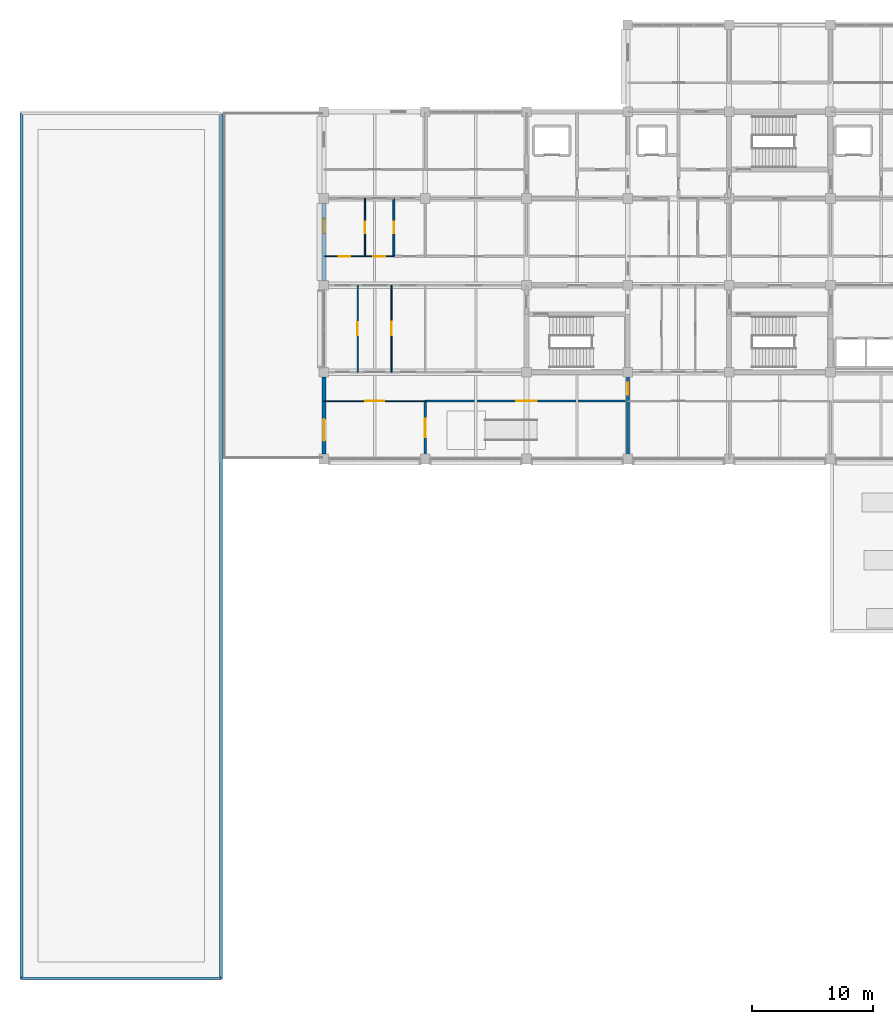
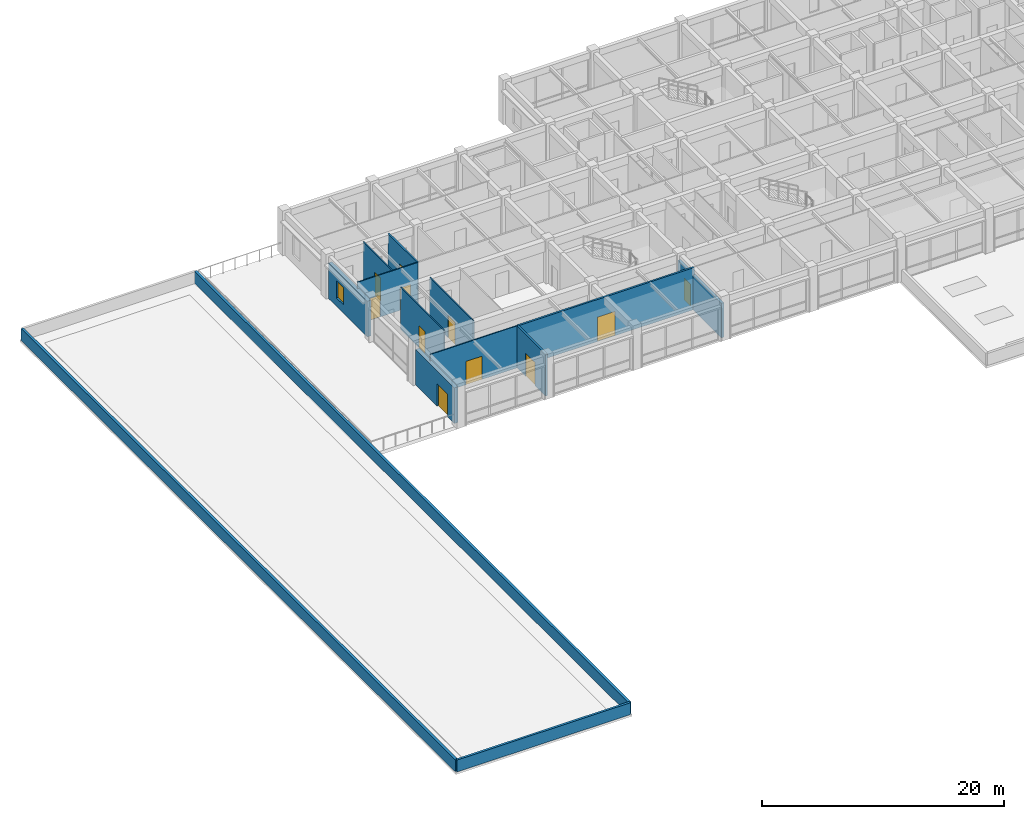
# One storey, part 19 of 40: 14 walls, 11 doors, 1 window, 12 openings.
"""IFC4 building model written with IfcOpenShell, lengths in metres."""

from ifc_helpers import new_model, si_unit, direction, frame, frame_2d, origin, place, context, subcontext, project, spatial, rectangle, extrude, material, layer, layer_set, type_object, element, fill, save


model = new_model("IFC4")

# Units and contexts
model_context = context("Model", 3, precision=1e-05, world=origin(), true_north=direction((0.0, 1.0)))
body_context = subcontext(model_context, "Body", "Model", "MODEL_VIEW")
ifc_project = project(units=[si_unit("LENGTHUNIT", "METRE"), si_unit("AREAUNIT", "SQUARE_METRE"), si_unit("VOLUMEUNIT", "CUBIC_METRE"), si_unit("PLANEANGLEUNIT", "RADIAN"), si_unit("MASSUNIT", "GRAM", prefix="KILO")], contexts=[model_context])

# Site, building, storey
site_placement = place(None, origin())
site = spatial("IfcSite", under=ifc_project, at=site_placement, CompositionType="ELEMENT")
building_placement = place(site_placement, origin())
building = spatial("IfcBuilding", under=site, at=building_placement, Name="Chengyuan Square Courthouse", CompositionType="ELEMENT")
storey_placement = place(building_placement, frame((0.0, 0.0, 21.60009765625)))
storey = spatial("IfcBuildingStorey", under=building, at=storey_placement, Name="L05", CompositionType="ELEMENT", Elevation=21.60009765625)

# Wall, opening, door
ifc_material_1 = material(Name="Concrete C40", Category="concrete")
ifc_layer_1 = layer(ifc_material_1, 0.35009765625)
ifc_layer_set_1 = layer_set([ifc_layer_1], Name="Concrete C40")
wall_type_1 = type_object("IfcWallType", Name="WL-EW2", PredefinedType="STANDARD", material=ifc_layer_set_1)
wall_1_placement = place(storey_placement, frame((25.199951171875, 79.594970703125, 0.0), z_axis=(0.0, 0.0, 1.0), x_axis=(0.0, 1.0, 0.0)))
wall_1 = element("IfcWall", 1, at=wall_1_placement, inside=storey, type_object=wall_type_1, Name="Exterior Wall WL-L05-E339", PredefinedType="STANDARD", context=body_context, shape_type="SweptSolid", body=[
    extrude(rectangle(XDim=6.409912109375, YDim=0.35009765625, at=frame_2d((3.205078125, 0.0))), origin(), (0.0, 0.0, 1.0), 3.58984375),
])
opening_1_placement = place(wall_1_placement, frame((1.10498046875, 0.0, 0.0)))
opening_1 = element("IfcOpeningElement", 2, at=opening_1_placement, cuts=wall_1, Name="Opening DR-004", PredefinedType="OPENING", context=body_context, shape_type="SweptSolid", body=[
    extrude(rectangle(XDim=1.800048828125, YDim=2.25, at=frame_2d((0.89990234375, 1.125))), frame((0.0, 0.18701171875, 0.0), z_axis=(0.0, -1.0, 0.0), x_axis=(1.0, 0.0, 0.0)), (0.0, 0.0, 1.0), 0.3740234375),
])
ifc_material_2 = material(Name="Thermally Broken Aluminium Terrace Door", Category="aluminium")
door_type_1 = type_object("IfcDoorType", Name="DT-02", OperationType="DOUBLE_DOOR_SINGLE_SWING", PredefinedType="DOOR", material=ifc_material_2)
door_1_placement = place(opening_1_placement, origin())
door_1 = element("IfcDoor", 3, at=door_1_placement, inside=storey, type_object=door_type_1, Name="Planted Terrace Access Door DR-004", OperationType="DOUBLE_DOOR_SINGLE_SWING", OverallHeight=2.25, OverallWidth=1.800048828125, PredefinedType="DOOR", context=body_context, shape_type="SweptSolid", body=[
    extrude(rectangle(XDim=1.800048828125, YDim=2.25, at=frame_2d((0.89990234375, 1.125))), frame((0.0, 0.02490234375, 0.0), z_axis=(0.0, -1.0, 0.0), x_axis=(1.0, 0.0, 0.0)), (0.0, 0.0, 1.0), 0.050048828125),
])
fill(opening_1, door_1)

# Wall, opening, window
wall_2_placement = place(storey_placement, frame((25.199951171875, 93.9951171875, 0.0), z_axis=(0.0, 0.0, 1.0), x_axis=(0.0, 1.0, 0.0)))
wall_2 = element("IfcWall", 4, at=wall_2_placement, inside=storey, type_object=wall_type_1, Name="Exterior Wall WL-L05-E340", PredefinedType="STANDARD", context=body_context, shape_type="SweptSolid", body=[
    extrude(rectangle(XDim=6.409912109375, YDim=0.35009765625, at=frame_2d((3.205078125, 0.0))), origin(), (0.0, 0.0, 1.0), 3.58984375),
])
opening_2_placement = place(wall_2_placement, frame((3.905029296875, 0.0, 0.85009765625)))
opening_2 = element("IfcOpeningElement", 5, at=opening_2_placement, cuts=wall_2, Name="Opening WN-111", PredefinedType="OPENING", context=body_context, shape_type="SweptSolid", body=[
    extrude(rectangle(XDim=1.199951171875, YDim=1.739990234375, at=frame_2d((0.60009765625, 0.8701171875))), frame((0.0, 0.18701171875, 0.0), z_axis=(0.0, -1.0, 0.0), x_axis=(1.0, 0.0, 0.0)), (0.0, 0.0, 1.0), 0.3740234375),
])
ifc_material_3 = material(Name="Thermally Broken Aluminium Triple Low-E Window", Category="aluminium")
window_type = type_object("IfcWindowType", Name="WT-16", PartitioningType="SINGLE_PANEL", PredefinedType="WINDOW", material=ifc_material_3)
window_placement = place(opening_2_placement, origin())
window = element("IfcWindow", 6, at=window_placement, inside=storey, type_object=window_type, Name="Facade Window WN-111", OverallHeight=1.739990234375, OverallWidth=1.199951171875, PartitioningType="SINGLE_PANEL", PredefinedType="WINDOW", context=body_context, shape_type="SweptSolid", body=[
    extrude(rectangle(XDim=1.199951171875, YDim=1.739990234375, at=frame_2d((0.60009765625, 0.8701171875))), frame((0.0, 0.030029296875, 0.0), z_axis=(0.0, -1.0, 0.0), x_axis=(1.0, 0.0, 0.0)), (0.0, 0.0, 1.0), 0.06005859375),
])
fill(opening_2, window)

# Wall, opening, door
ifc_layer_2 = layer(ifc_material_1, 0.25)
ifc_layer_set_2 = layer_set([ifc_layer_2], Name="Concrete C40")
wall_type_2 = type_object("IfcWallType", Name="WL-FW1", PredefinedType="STANDARD", material=ifc_layer_set_2)
wall_3_placement = place(storey_placement, frame((50.39990234375, 79.239990234375, 0.0), z_axis=(0.0, 0.0, 1.0), x_axis=(0.0, 1.0, 0.0)))
wall_3 = element("IfcWall", 7, at=wall_3_placement, inside=storey, type_object=wall_type_2, Name="Interior Wall WL-L05-I2240", PredefinedType="STANDARD", context=body_context, shape_type="SweptSolid", body=[
    extrude(rectangle(XDim=7.159912109375, YDim=0.25, at=frame_2d((3.580078125, 0.0))), origin(), (0.0, 0.0, 1.0), 3.489990234375),
])
opening_3_placement = place(wall_3_placement, frame((5.300048828125, 0.0, 0.0)))
opening_3 = element("IfcOpeningElement", 8, at=opening_3_placement, cuts=wall_3, Name="Opening DR-2096", PredefinedType="OPENING", context=body_context, shape_type="SweptSolid", body=[
    extrude(rectangle(XDim=1.0, YDim=2.199951171875, at=frame_2d((0.5, 1.10009765625))), frame((0.0, 0.136962890625, 0.0), z_axis=(0.0, -1.0, 0.0), x_axis=(1.0, 0.0, 0.0)), (0.0, 0.0, 1.0), 0.27392578125),
])
ifc_material_4 = material(Name="Steel Q235B Fire Door", Category="steel")
door_type_2 = type_object("IfcDoorType", Name="DT-11", OperationType="NOTDEFINED", PredefinedType="DOOR", material=ifc_material_4)
door_2_placement = place(opening_3_placement, origin())
door_2 = element("IfcDoor", 9, at=door_2_placement, inside=storey, type_object=door_type_2, Name="Interior Door DR-2096", OperationType="SINGLE_SWING_RIGHT", OverallHeight=2.199951171875, OverallWidth=1.0, PredefinedType="DOOR", context=body_context, shape_type="SweptSolid", body=[
    extrude(rectangle(XDim=1.0, YDim=2.199951171875, at=frame_2d((0.5, 1.10009765625))), frame((0.0, 0.02490234375, 0.0), z_axis=(0.0, -1.0, 0.0), x_axis=(1.0, 0.0, 0.0)), (0.0, 0.0, 1.0), 0.050048828125),
])
fill(opening_3, door_2)

# Walls
ifc_layer_3 = layer(ifc_material_1, 0.219970703125)
ifc_layer_set_3 = layer_set([ifc_layer_3], Name="Concrete C40")
wall_type_3 = type_object("IfcWallType", Name="WL-PR1", PredefinedType="PARAPET", material=ifc_layer_set_3)
wall_4_placement = place(storey_placement, frame((0.139892578125, 36.139892578125, 0.0), z_axis=(0.0, 0.0, 1.0), x_axis=(1.0, 0.0, 0.0)))
element("IfcWall", 10, at=wall_4_placement, inside=storey, type_object=wall_type_3, Name="Roof Parapet Wall PAR-L05-015", PredefinedType="PARAPET", context=body_context, shape_type="SweptSolid", body=[
    extrude(rectangle(XDim=16.52001953125, YDim=0.219970703125, at=frame_2d((8.260009765625, 0.0))), origin(), (0.0, 0.0, 1.0), 1.199951171875),
])
ifc_layer_4 = layer(ifc_material_1, 0.239990234375)
ifc_layer_set_4 = layer_set([ifc_layer_4], Name="Concrete C40")
wall_type_4 = type_object("IfcWallType", Name="WL-PR2", PredefinedType="PARAPET", material=ifc_layer_set_4)
for number, where, z_axis, x_axis, name in (
    (11, (16.659912109375, 36.139892578125, 0.0), (0.0, 0.0, 1.0), (0.0, 1.0, 0.0), "Roof Parapet Wall PAR-L05-016"),
    (12, (0.139892578125, 107.860107421875, 0.0), (0.0, 0.0, 1.0), (0.0, -1.0, 0.0), "Roof Parapet Wall PAR-L05-018"),
):
    element("IfcWall", number, at=place(storey_placement, frame(where, z_axis=z_axis, x_axis=x_axis)), inside=storey, type_object=wall_type_4, Name=name, PredefinedType="PARAPET", context=body_context, shape_type="SweptSolid", body=[
        extrude(rectangle(XDim=71.72021484375, YDim=0.239990234375, at=frame_2d((35.860107421875, 0.0))), origin(), (0.0, 0.0, 1.0), 1.199951171875),
    ])

# Wall, opening, door
ifc_material_5 = material(Name="Double-Stud Acoustic Gypsum Courtroom Partition")
ifc_layer_5 = layer(ifc_material_5, 0.179931640625)
ifc_layer_set_5 = layer_set([ifc_layer_5], Name="Double-Stud Acoustic Gypsum Courtroom Partition")
wall_type_5 = type_object("IfcWallType", Name="WL-PT1", PredefinedType="STANDARD", material=ifc_layer_set_5)
wall_5_placement = place(storey_placement, frame((33.60009765625, 84.0, 0.0), z_axis=(0.0, 0.0, 1.0), x_axis=(1.0, 0.0, 0.0)))
wall_5 = element("IfcWall", 13, at=wall_5_placement, inside=storey, type_object=wall_type_5, Name="Interior Wall WL-L05-I2103", PredefinedType="STANDARD", context=body_context, shape_type="SweptSolid", body=[
    extrude(rectangle(XDim=16.7998046875, YDim=0.179931640625, at=frame_2d((8.39990234375, 0.0))), origin(), (0.0, 0.0, 1.0), 4.239990234375),
])
opening_4_placement = place(wall_5_placement, frame((7.550048828125, 0.0, 0.0)))
opening_4 = element("IfcOpeningElement", 14, at=opening_4_placement, cuts=wall_5, Name="Opening DR-2098", PredefinedType="OPENING", context=body_context, shape_type="SweptSolid", body=[
    extrude(rectangle(XDim=1.699951171875, YDim=2.449951171875, at=frame_2d((0.85009765625, 1.22509765625))), frame((0.0, 0.10205078125, 0.0), z_axis=(0.0, -1.0, 0.0), x_axis=(1.0, 0.0, 0.0)), (0.0, 0.0, 1.0), 0.203857421875),
])
ifc_material_6 = material(Name="Acoustic Larch Veneer Double Door")
door_type_3 = type_object("IfcDoorType", Name="DT-24", OperationType="DOUBLE_DOOR_SINGLE_SWING", PredefinedType="DOOR", material=ifc_material_6)
door_3_placement = place(opening_4_placement, frame((1.699951171875, 0.0, 0.0), z_axis=(0.0, 0.0, 1.0), x_axis=(-1.0, 0.0, 0.0)))
door_3 = element("IfcDoor", 15, at=door_3_placement, inside=storey, type_object=door_type_3, Name="Interior Door DR-2098", OperationType="DOUBLE_DOOR_SINGLE_SWING", OverallHeight=2.449951171875, OverallWidth=1.699951171875, PredefinedType="DOOR", context=body_context, shape_type="SweptSolid", body=[
    extrude(rectangle(XDim=1.699951171875, YDim=2.449951171875, at=frame_2d((0.85009765625, 1.22509765625))), frame((0.0, 0.02490234375, 0.0), z_axis=(0.0, -1.0, 0.0), x_axis=(1.0, 0.0, 0.0)), (0.0, 0.0, 1.0), 0.050048828125),
])
fill(opening_4, door_3)

wall_6_placement = place(storey_placement, frame((33.60009765625, 79.239990234375, 0.0), z_axis=(0.0, 0.0, 1.0), x_axis=(0.0, 1.0, 0.0)))
wall_6 = element("IfcWall", 16, at=wall_6_placement, inside=storey, type_object=wall_type_5, Name="Interior Wall WL-L05-I2227", PredefinedType="STANDARD", context=body_context, shape_type="SweptSolid", body=[
    extrude(rectangle(XDim=4.760009765625, YDim=0.179931640625, at=frame_2d((2.3798828125, 0.0))), origin(), (0.0, 0.0, 1.0), 4.239990234375),
])
opening_5_placement = place(wall_6_placement, frame((1.7451171875, 0.0, 0.0)))
opening_5 = element("IfcOpeningElement", 17, at=opening_5_placement, cuts=wall_6, Name="Opening DR-2109", PredefinedType="OPENING", context=body_context, shape_type="SweptSolid", body=[
    extrude(rectangle(XDim=1.550048828125, YDim=2.35009765625, at=frame_2d((0.77490234375, 1.175048828125))), frame((0.0, 0.10205078125, 0.0), z_axis=(0.0, -1.0, 0.0), x_axis=(1.0, 0.0, 0.0)), (0.0, 0.0, 1.0), 0.203857421875),
])
door_type_4 = type_object("IfcDoorType", Name="DT-23", OperationType="DOUBLE_DOOR_SINGLE_SWING", PredefinedType="DOOR", material=ifc_material_6)
door_4_placement = place(opening_5_placement, frame((1.550048828125, 0.0, 0.0), z_axis=(0.0, 0.0, 1.0), x_axis=(-1.0, 0.0, 0.0)))
door_4 = element("IfcDoor", 18, at=door_4_placement, inside=storey, type_object=door_type_4, Name="Interior Door DR-2109", OperationType="DOUBLE_DOOR_SINGLE_SWING", OverallHeight=2.35009765625, OverallWidth=1.550048828125, PredefinedType="DOOR", context=body_context, shape_type="SweptSolid", body=[
    extrude(rectangle(XDim=1.550048828125, YDim=2.35009765625, at=frame_2d((0.77490234375, 1.175048828125))), frame((0.0, 0.02490234375, 0.0), z_axis=(0.0, -1.0, 0.0), x_axis=(1.0, 0.0, 0.0)), (0.0, 0.0, 1.0), 0.050048828125),
])
fill(opening_5, door_4)

ifc_material_7 = material(Name="Deliberation Room Sound-Insulated Partition")
ifc_layer_6 = layer(ifc_material_7, 0.14990234375)
ifc_layer_set_6 = layer_set([ifc_layer_6], Name="Deliberation Room Sound-Insulated Partition")
wall_type_6 = type_object("IfcWallType", Name="WL-PT3", PredefinedType="STANDARD", material=ifc_layer_set_6)
wall_7_placement = place(storey_placement, frame((31.0, 96.0, 0.0), z_axis=(0.0, 0.0, 1.0), x_axis=(0.0, 1.0, 0.0)))
wall_7 = element("IfcWall", 19, at=wall_7_placement, inside=storey, type_object=wall_type_6, Name="Interior Wall WL-L05-I2226", PredefinedType="STANDARD", context=body_context, shape_type="SweptSolid", body=[
    extrude(rectangle(XDim=4.800048828125, YDim=0.14990234375, at=frame_2d((2.39990234375, 0.0))), origin(), (0.0, 0.0, 1.0), 4.239990234375),
])
opening_6_placement = place(wall_7_placement, frame((1.909912109375, 0.0, 0.0)))
opening_6 = element("IfcOpeningElement", 20, at=opening_6_placement, cuts=wall_7, Name="Opening DR-2048", PredefinedType="OPENING", context=body_context, shape_type="SweptSolid", body=[
    extrude(rectangle(XDim=0.97998046875, YDim=2.35009765625, at=frame_2d((0.489990234375, 1.175048828125))), frame((0.0, 0.0869140625, 0.0), z_axis=(0.0, -1.0, 0.0), x_axis=(1.0, 0.0, 0.0)), (0.0, 0.0, 1.0), 0.173828125),
])
ifc_material_8 = material(Name="Acoustic Solid-Core Timber Door", Category="wood")
door_type_5 = type_object("IfcDoorType", Name="DT-40", OperationType="NOTDEFINED", PredefinedType="DOOR", material=ifc_material_8)
door_5_placement = place(opening_6_placement, origin())
door_5 = element("IfcDoor", 21, at=door_5_placement, inside=storey, type_object=door_type_5, Name="Interior Door DR-2048", OperationType="SINGLE_SWING_LEFT", OverallHeight=2.35009765625, OverallWidth=0.97998046875, PredefinedType="DOOR", context=body_context, shape_type="SweptSolid", body=[
    extrude(rectangle(XDim=0.97998046875, YDim=2.35009765625, at=frame_2d((0.489990234375, 1.175048828125))), frame((0.0, 0.02490234375, 0.0), z_axis=(0.0, -1.0, 0.0), x_axis=(1.0, 0.0, 0.0)), (0.0, 0.0, 1.0), 0.050048828125),
])
fill(opening_6, door_5)

ifc_material_9 = material(Name="Gypsum Plasterboard Acoustic Stud Partition")
ifc_layer_7 = layer(ifc_material_9, 0.10009765625)
ifc_layer_set_7 = layer_set([ifc_layer_7], Name="Gypsum Plasterboard Acoustic Stud Partition")
wall_type_7 = type_object("IfcWallType", Name="WL-PT6", PredefinedType="STANDARD", material=ifc_layer_set_7)
wall_8_placement = place(storey_placement, frame((25.239990234375, 84.0, 0.0), z_axis=(0.0, 0.0, 1.0), x_axis=(1.0, 0.0, 0.0)))
wall_8 = element("IfcWall", 22, at=wall_8_placement, inside=storey, type_object=wall_type_7, Name="Interior Wall WL-L05-I2102", PredefinedType="STANDARD", context=body_context, shape_type="SweptSolid", body=[
    extrude(rectangle(XDim=8.360107421875, YDim=0.10009765625, at=frame_2d((4.18017578125, 0.0))), origin(), (0.0, 0.0, 1.0), 4.239990234375),
])
opening_7_placement = place(wall_8_placement, frame((3.405029296875, 0.0, 0.0)))
opening_7 = element("IfcOpeningElement", 23, at=opening_7_placement, cuts=wall_8, Name="Opening DR-2097", PredefinedType="OPENING", context=body_context, shape_type="SweptSolid", body=[
    extrude(rectangle(XDim=1.550048828125, YDim=2.35009765625, at=frame_2d((0.77490234375, 1.175048828125))), frame((0.0, 0.06201171875, 0.0), z_axis=(0.0, -1.0, 0.0), x_axis=(1.0, 0.0, 0.0)), (0.0, 0.0, 1.0), 0.1240234375),
])
door_6_placement = place(opening_7_placement, frame((1.550048828125, 0.0, 0.0), z_axis=(0.0, 0.0, 1.0), x_axis=(-1.0, 0.0, 0.0)))
door_6 = element("IfcDoor", 24, at=door_6_placement, inside=storey, type_object=door_type_4, Name="Interior Door DR-2097", OperationType="DOUBLE_DOOR_SINGLE_SWING", OverallHeight=2.35009765625, OverallWidth=1.550048828125, PredefinedType="DOOR", context=body_context, shape_type="SweptSolid", body=[
    extrude(rectangle(XDim=1.550048828125, YDim=2.35009765625, at=frame_2d((0.77490234375, 1.175048828125))), frame((0.0, 0.02490234375, 0.0), z_axis=(0.0, -1.0, 0.0), x_axis=(1.0, 0.0, 0.0)), (0.0, 0.0, 1.0), 0.050048828125),
])
fill(opening_7, door_6)

# Wall, openings, doors
wall_9_placement = place(storey_placement, frame((25.239990234375, 96.0, 0.0), z_axis=(0.0, 0.0, 1.0), x_axis=(1.0, 0.0, 0.0)))
wall_9 = element("IfcWall", 25, at=wall_9_placement, inside=storey, type_object=wall_type_7, Name="Interior Wall WL-L05-I2143", PredefinedType="STANDARD", context=body_context, shape_type="SweptSolid", body=[
    extrude(rectangle(XDim=5.760009765625, YDim=0.10009765625, at=frame_2d((2.8798828125, 0.0))), origin(), (0.0, 0.0, 1.0), 4.239990234375),
])
opening_8_placement = place(wall_9_placement, frame((1.199951171875, 0.0, 0.0)))
opening_8 = element("IfcOpeningElement", 26, at=opening_8_placement, cuts=wall_9, Name="Opening DR-2004", PredefinedType="OPENING", context=body_context, shape_type="SweptSolid", body=[
    extrude(rectangle(XDim=0.9599609375, YDim=2.199951171875, at=frame_2d((0.47998046875, 1.10009765625))), frame((0.0, 0.06201171875, 0.0), z_axis=(0.0, -1.0, 0.0), x_axis=(1.0, 0.0, 0.0)), (0.0, 0.0, 1.0), 0.1240234375),
])
opening_9_placement = place(wall_9_placement, frame((4.06005859375, 0.0, 0.0)))
opening_9 = element("IfcOpeningElement", 27, at=opening_9_placement, cuts=wall_9, Name="Opening DR-2005", PredefinedType="OPENING", context=body_context, shape_type="SweptSolid", body=[
    extrude(rectangle(XDim=1.0, YDim=2.25, at=frame_2d((0.5, 1.125))), frame((0.0, 0.06201171875, 0.0), z_axis=(0.0, -1.0, 0.0), x_axis=(1.0, 0.0, 0.0)), (0.0, 0.0, 1.0), 0.1240234375),
])
door_type_6 = type_object("IfcDoorType", Name="DT-30", OperationType="NOTDEFINED", PredefinedType="DOOR", material=ifc_material_8)
door_7_placement = place(opening_8_placement, origin())
door_7 = element("IfcDoor", 28, at=door_7_placement, inside=storey, type_object=door_type_6, Name="Interior Door DR-2004", OperationType="SINGLE_SWING_LEFT", OverallHeight=2.199951171875, OverallWidth=0.9599609375, PredefinedType="DOOR", context=body_context, shape_type="SweptSolid", body=[
    extrude(rectangle(XDim=0.9599609375, YDim=2.199951171875, at=frame_2d((0.47998046875, 1.10009765625))), frame((0.0, 0.02490234375, 0.0), z_axis=(0.0, -1.0, 0.0), x_axis=(1.0, 0.0, 0.0)), (0.0, 0.0, 1.0), 0.050048828125),
])
fill(opening_8, door_7)
door_type_7 = type_object("IfcDoorType", Name="DT-31", OperationType="NOTDEFINED", PredefinedType="DOOR", material=ifc_material_8)
door_8_placement = place(opening_9_placement, origin())
door_8 = element("IfcDoor", 29, at=door_8_placement, inside=storey, type_object=door_type_7, Name="Interior Door DR-2005", OperationType="SINGLE_SWING_RIGHT", OverallHeight=2.25, OverallWidth=1.0, PredefinedType="DOOR", context=body_context, shape_type="SweptSolid", body=[
    extrude(rectangle(XDim=1.0, YDim=2.25, at=frame_2d((0.5, 1.125))), frame((0.0, 0.02490234375, 0.0), z_axis=(0.0, -1.0, 0.0), x_axis=(1.0, 0.0, 0.0)), (0.0, 0.0, 1.0), 0.050048828125),
])
fill(opening_9, door_8)

# Wall, opening, door
wall_10_placement = place(storey_placement, frame((28.0, 86.39990234375, 0.0), z_axis=(0.0, 0.0, 1.0), x_axis=(0.0, 1.0, 0.0)))
wall_10 = element("IfcWall", 30, at=wall_10_placement, inside=storey, type_object=wall_type_7, Name="Interior Wall WL-L05-I2223", PredefinedType="STANDARD", context=body_context, shape_type="SweptSolid", body=[
    extrude(rectangle(XDim=7.2001953125, YDim=0.10009765625, at=frame_2d((3.60009765625, 0.0))), origin(), (0.0, 0.0, 1.0), 4.239990234375),
])
opening_10_placement = place(wall_10_placement, frame((3.080078125, 0.0, 0.0)))
opening_10 = element("IfcOpeningElement", 31, at=opening_10_placement, cuts=wall_10, Name="Opening DR-2057", PredefinedType="OPENING", context=body_context, shape_type="SweptSolid", body=[
    extrude(rectangle(XDim=1.0400390625, YDim=2.199951171875, at=frame_2d((0.52001953125, 1.10009765625))), frame((0.0, 0.06201171875, 0.0), z_axis=(0.0, -1.0, 0.0), x_axis=(1.0, 0.0, 0.0)), (0.0, 0.0, 1.0), 0.1240234375),
])
door_type_8 = type_object("IfcDoorType", Name="DT-32", OperationType="NOTDEFINED", PredefinedType="DOOR", material=ifc_material_8)
door_9_placement = place(opening_10_placement, origin())
door_9 = element("IfcDoor", 32, at=door_9_placement, inside=storey, type_object=door_type_8, Name="Interior Door DR-2057", OperationType="SINGLE_SWING_RIGHT", OverallHeight=2.199951171875, OverallWidth=1.0400390625, PredefinedType="DOOR", context=body_context, shape_type="SweptSolid", body=[
    extrude(rectangle(XDim=1.0400390625, YDim=2.199951171875, at=frame_2d((0.52001953125, 1.10009765625))), frame((0.0, 0.02490234375, 0.0), z_axis=(0.0, -1.0, 0.0), x_axis=(1.0, 0.0, 0.0)), (0.0, 0.0, 1.0), 0.050048828125),
])
fill(opening_10, door_9)

wall_11_placement = place(storey_placement, frame((28.60009765625, 96.0, 0.0), z_axis=(0.0, 0.0, 1.0), x_axis=(0.0, 1.0, 0.0)))
wall_11 = element("IfcWall", 33, at=wall_11_placement, inside=storey, type_object=wall_type_7, Name="Interior Wall WL-L05-I2224", PredefinedType="STANDARD", context=body_context, shape_type="SweptSolid", body=[
    extrude(rectangle(XDim=4.800048828125, YDim=0.10009765625, at=frame_2d((2.39990234375, 0.0))), origin(), (0.0, 0.0, 1.0), 4.239990234375),
])
opening_11_placement = place(wall_11_placement, frame((1.929931640625, 0.0, 0.0)))
opening_11 = element("IfcOpeningElement", 34, at=opening_11_placement, cuts=wall_11, Name="Opening DR-2047", PredefinedType="OPENING", context=body_context, shape_type="SweptSolid", body=[
    extrude(rectangle(XDim=0.93994140625, YDim=2.300048828125, at=frame_2d((0.469970703125, 1.14990234375))), frame((0.0, 0.06201171875, 0.0), z_axis=(0.0, -1.0, 0.0), x_axis=(1.0, 0.0, 0.0)), (0.0, 0.0, 1.0), 0.1240234375),
])
door_type_9 = type_object("IfcDoorType", Name="DT-39", OperationType="NOTDEFINED", PredefinedType="DOOR", material=ifc_material_8)
door_10_placement = place(opening_11_placement, origin())
door_10 = element("IfcDoor", 35, at=door_10_placement, inside=storey, type_object=door_type_9, Name="Interior Door DR-2047", OperationType="SINGLE_SWING_RIGHT", OverallHeight=2.300048828125, OverallWidth=0.93994140625, PredefinedType="DOOR", context=body_context, shape_type="SweptSolid", body=[
    extrude(rectangle(XDim=0.93994140625, YDim=2.300048828125, at=frame_2d((0.469970703125, 1.14990234375))), frame((0.0, 0.02490234375, 0.0), z_axis=(0.0, -1.0, 0.0), x_axis=(1.0, 0.0, 0.0)), (0.0, 0.0, 1.0), 0.050048828125),
])
fill(opening_11, door_10)

wall_12_placement = place(storey_placement, frame((30.800048828125, 86.39990234375, 0.0), z_axis=(0.0, 0.0, 1.0), x_axis=(0.0, 1.0, 0.0)))
wall_12 = element("IfcWall", 36, at=wall_12_placement, inside=storey, type_object=wall_type_7, Name="Interior Wall WL-L05-I2225", PredefinedType="STANDARD", context=body_context, shape_type="SweptSolid", body=[
    extrude(rectangle(XDim=7.2001953125, YDim=0.10009765625, at=frame_2d((3.60009765625, 0.0))), origin(), (0.0, 0.0, 1.0), 4.239990234375),
])
opening_12_placement = place(wall_12_placement, frame((3.0400390625, 0.0, 0.0)))
opening_12 = element("IfcOpeningElement", 37, at=opening_12_placement, cuts=wall_12, Name="Opening DR-2059", PredefinedType="OPENING", context=body_context, shape_type="SweptSolid", body=[
    extrude(rectangle(XDim=1.1201171875, YDim=2.25, at=frame_2d((0.56005859375, 1.125))), frame((0.0, 0.06201171875, 0.0), z_axis=(0.0, -1.0, 0.0), x_axis=(1.0, 0.0, 0.0)), (0.0, 0.0, 1.0), 0.1240234375),
])
door_type_10 = type_object("IfcDoorType", Name="DT-34", OperationType="NOTDEFINED", PredefinedType="DOOR", material=ifc_material_8)
door_11_placement = place(opening_12_placement, origin())
door_11 = element("IfcDoor", 38, at=door_11_placement, inside=storey, type_object=door_type_10, Name="Interior Door DR-2059", OperationType="SINGLE_SWING_RIGHT", OverallHeight=2.25, OverallWidth=1.1201171875, PredefinedType="DOOR", context=body_context, shape_type="SweptSolid", body=[
    extrude(rectangle(XDim=1.1201171875, YDim=2.25, at=frame_2d((0.56005859375, 1.125))), frame((0.0, 0.02490234375, 0.0), z_axis=(0.0, -1.0, 0.0), x_axis=(1.0, 0.0, 0.0)), (0.0, 0.0, 1.0), 0.050048828125),
])
fill(opening_12, door_11)

save(model, "model.ifc")
